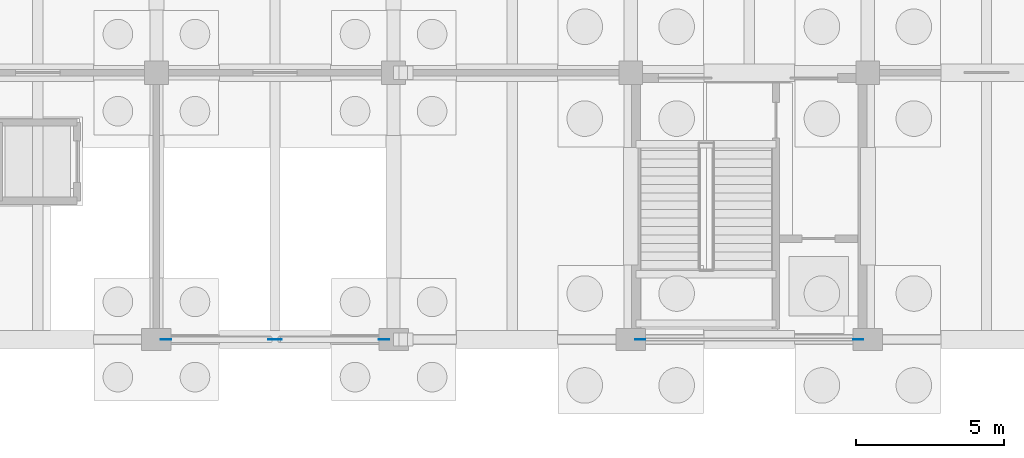
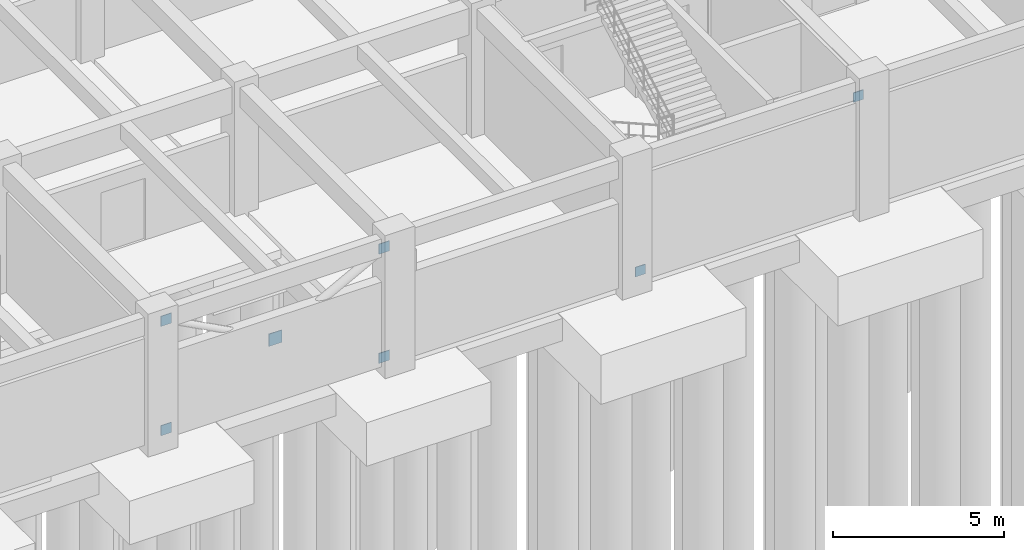
# One storey, part 98 of 147: 7 plates.
"""IFC4 building model written with IfcOpenShell, lengths in metres."""

from ifc_helpers import new_model, si_unit, direction, frame, origin, origin_2d, place, context, subcontext, project, spatial, rectangle, extrude, material, layer, layer_set, type_object, element, save


model = new_model("IFC4")

# Units and contexts
model_context = context("Model", 3, precision=1e-05, world=origin(), true_north=direction((0.0, 1.0)))
body_context = subcontext(model_context, "Body", "Model", "MODEL_VIEW")
ifc_project = project(units=[si_unit("LENGTHUNIT", "METRE"), si_unit("AREAUNIT", "SQUARE_METRE"), si_unit("VOLUMEUNIT", "CUBIC_METRE"), si_unit("PLANEANGLEUNIT", "RADIAN"), si_unit("MASSUNIT", "GRAM", prefix="KILO")], contexts=[model_context])

# Site, building, storey
site_placement = place(None, origin())
site = spatial("IfcSite", under=ifc_project, at=site_placement, CompositionType="ELEMENT")
building_placement = place(site_placement, origin())
building = spatial("IfcBuilding", under=site, at=building_placement, Name="Varnabhumi Central Station", CompositionType="ELEMENT")
storey_placement = place(building_placement, origin())
storey = spatial("IfcBuildingStorey", under=building, at=storey_placement, Name="L00", CompositionType="ELEMENT", Elevation=0.0)

# Plates
ifc_material = material(Name="Structural steel E350", Category="steel")
ifc_layer = layer(ifc_material, 0.031982421875, Name="Structural steel E350", Category="steel")
ifc_layer_set = layer_set([ifc_layer], Name="Structural steel E350")
plate_type = type_object("IfcPlateType", Name="PLT-GUSSET-A", PredefinedType="USERDEFINED", material=ifc_layer_set)
plate_placement = place(storey_placement, frame((60.0, 0.0, 1.929931640625), z_axis=(0.0, 0.0, 1.0), x_axis=(1.0, 0.0, 0.0)))
element("IfcPlate", 1, at=plate_placement, inside=storey, type_object=plate_type, Name="X-Brace Crossing Node Gusset L00-A:8-9", ObjectType="GUSSET PLATE", PredefinedType="USERDEFINED", context=body_context, shape_type="SweptSolid", body=[
    extrude(rectangle(XDim=0.43994140625, YDim=0.02490234375, at=origin_2d()), origin(), (0.0, 0.0, 1.0), 0.43994140625),
])
for number, where, z_axis, x_axis, name in (
    (2, (56.320068359375, 0.0, 0.02001953125), (0.0, 0.0, 1.0), (1.0, 0.0, 0.0), "Brace End Gusset Plate L00-A:8-9-BL"),
    (3, (56.320068359375, 0.0, 3.919921875), (0.0, 0.0, 1.0), (1.0, 0.0, 0.0), "Brace End Gusset Plate L00-A:8-9-TL"),
    (4, (63.679931640625, 0.0, 0.02001953125), (0.0, 0.0, 1.0), (1.0, 0.0, 0.0), "Brace End Gusset Plate L00-A:8-9-BR"),
    (5, (63.679931640625, 0.0, 3.919921875), (0.0, 0.0, 1.0), (1.0, 0.0, 0.0), "Brace End Gusset Plate L00-A:8-9-TR"),
):
    element("IfcPlate", number, at=place(storey_placement, frame(where, z_axis=z_axis, x_axis=x_axis)), inside=storey, type_object=plate_type, Name=name, ObjectType="GUSSET PLATE", PredefinedType="USERDEFINED", context=body_context, shape_type="SweptSolid", body=[
        extrude(rectangle(XDim=0.360107421875, YDim=0.02490234375, at=origin_2d()), origin(), (0.0, 0.0, 1.0), 0.360107421875),
    ])
for number, where, z_axis, x_axis, name in (
    (6, (72.320068359375, 0.0, 0.080078125), (0.0, 0.0, 1.0), (1.0, 0.0, 0.0), "Lateral Brace End Gusset WB-10-B"),
    (7, (79.679931640625, 0.0, 3.72998046875), (0.0, 0.0, 1.0), (1.0, 0.0, 0.0), "Lateral Brace End Gusset WB-10-T"),
):
    element("IfcPlate", number, at=place(storey_placement, frame(where, z_axis=z_axis, x_axis=x_axis)), inside=storey, type_object=plate_type, Name=name, ObjectType="GUSSET PLATE", PredefinedType="USERDEFINED", context=body_context, shape_type="SweptSolid", body=[
        extrude(rectangle(XDim=0.340087890625, YDim=0.02490234375, at=origin_2d()), origin(), (0.0, 0.0, 1.0), 0.340087890625),
    ])

save(model, "model.ifc")
